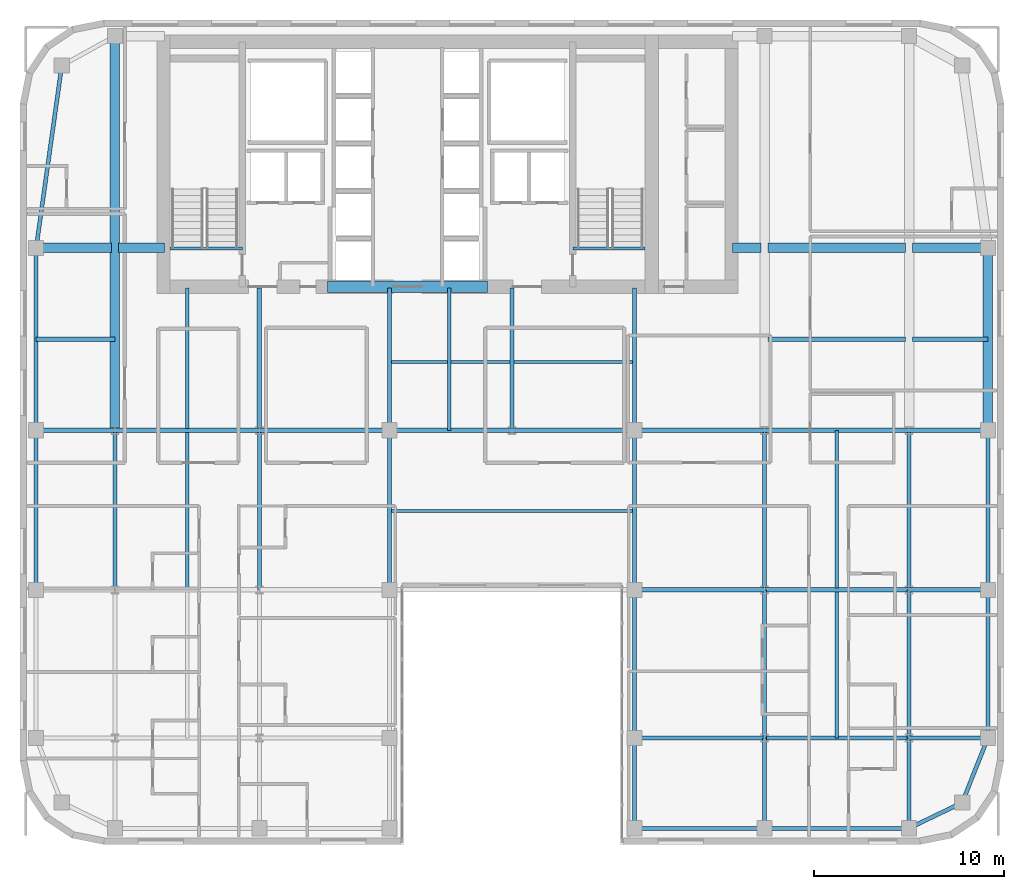
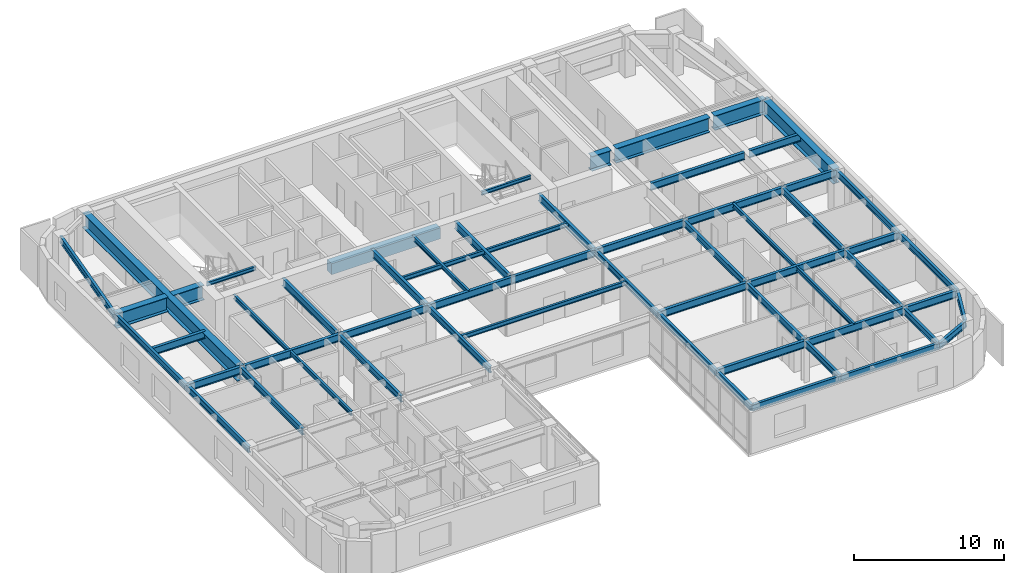
# One storey, part 5 of 14: 59 beams.
"""IFC4 building model written with IfcOpenShell, lengths in metres."""

from ifc_helpers import new_model, si_unit, direction, frame, origin, origin_2d, place, context, subcontext, project, spatial, rectangle, i_section, extrude, source, transform, mapped, material, material_profile, profile_set, type_object, type_shapes, element, save


model = new_model("IFC4")

# Units and contexts
model_context = context("Model", 3, precision=1e-05, world=origin(), true_north=direction((0.0, 1.0)))
body_context = subcontext(model_context, "Body", "Model", "MODEL_VIEW")
ifc_project = project(units=[si_unit("LENGTHUNIT", "METRE"), si_unit("AREAUNIT", "SQUARE_METRE"), si_unit("VOLUMEUNIT", "CUBIC_METRE"), si_unit("PLANEANGLEUNIT", "RADIAN"), si_unit("MASSUNIT", "GRAM", prefix="KILO")], contexts=[model_context])

# Site, building, storey
site_placement = place(None, origin())
site = spatial("IfcSite", under=ifc_project, at=site_placement, CompositionType="ELEMENT")
building_placement = place(site_placement, origin())
building = spatial("IfcBuilding", under=site, at=building_placement, Name="Tolvann Quenvar Hotel", CompositionType="ELEMENT")
storey_placement = place(building_placement, frame((0.0, 0.0, 187.550048828125)))
storey = spatial("IfcBuildingStorey", under=building, at=storey_placement, Name="L49", CompositionType="ELEMENT", Elevation=187.550048828125)

# Beams
ifc_material_1 = material(Name="Concrete N50 (50 MPa)", Category="concrete")
ifc_material_profile_1 = material_profile(ifc_material_1, rectangle(XDim=0.60009765625, YDim=0.89990234375, at=origin_2d()), Name="RC600x900")
ifc_profile_set_1 = profile_set([ifc_material_profile_1], Name="Concrete N50 (50 MPa)")
beam_type_1 = type_object("IfcBeamType", Name="BM_LINT_RC600x900", PredefinedType="LINTEL", material=ifc_profile_set_1)
shared_shape_1 = source(origin(), body_context, "Body", "SweptSolid", [
    extrude(rectangle(XDim=0.60009765625, YDim=0.89990234375, at=origin_2d()), origin(), (0.0, 0.0, 1.0), 8.39990234375),
])
type_shapes(beam_type_1, [shared_shape_1])
beam_1_placement = place(storey_placement, frame((18.800048828125, 31.949951171875, 2.919921875), z_axis=(1.0, 0.0, 0.0), x_axis=(0.0, 1.0, 0.0)))
element("IfcBeam", 1, at=beam_1_placement, inside=storey, type_object=beam_type_1, Name="Core Coupling Lintel Beam (L49)", PredefinedType="LINTEL", context=body_context, shape_type="MappedRepresentation", body=[
    mapped(shared_shape_1, transform((0.0, 0.0, 0.0), x_axis=(1.0, 0.0, 0.0), y_axis=(0.0, 1.0, 0.0), z_axis=(0.0, 0.0, 1.0), scale=1.0)),
])
ifc_material_2 = material(Name="Steel Grade 350", Category="steel")
ifc_material_profile_2 = material_profile(ifc_material_2, i_section(OverallWidth=0.5, OverallDepth=1.199951171875, WebThickness=0.01611328125, FlangeThickness=0.0400390625, at=origin_2d()), Name="1200WB455")
ifc_profile_set_2 = profile_set([ifc_material_profile_2], Name="Steel Grade 350")
beam_type_2 = type_object("IfcBeamType", Name="BM_TG_1200WB455", PredefinedType="USERDEFINED", material=ifc_profile_set_2)
shared_shape_2 = source(origin(), body_context, "Body", "SweptSolid", [
    extrude(i_section(OverallWidth=0.5, OverallDepth=1.199951171875, WebThickness=0.01611328125, FlangeThickness=0.0400390625, at=origin_2d()), origin(), (0.0, 0.0, 1.0), 9.60009765625),
])
beam_2_placement = place(storey_placement, frame((53.550048828125, 24.39990234375, 2.77001953125), z_axis=(0.0, 1.0, 0.0), x_axis=(-1.0, 0.0, 0.0)))
element("IfcBeam", 2, at=beam_2_placement, inside=storey, type_object=beam_type_2, Name="BM-L49-FLK-E1", ObjectType="TRANSFER GIRDER", PredefinedType="USERDEFINED", context=body_context, shape_type="MappedRepresentation", body=[
    mapped(shared_shape_2, transform((0.0, 0.0, 0.0), x_axis=(1.0, 0.0, 0.0), y_axis=(0.0, 1.0, 0.0), z_axis=(0.0, 0.0, 1.0), scale=1.0)),
])
ifc_material_profile_3 = material_profile(ifc_material_2, i_section(OverallWidth=0.208984375, OverallDepth=0.528076171875, WebThickness=0.009521484375, FlangeThickness=0.01318359375, FilletRadius=0.013916015625, at=origin_2d()), Name="530UB82")
ifc_profile_set_3 = profile_set([ifc_material_profile_3], Name="Steel Grade 350")
beam_type_3 = type_object("IfcBeamType", Name="BM_SPAND_530UB82", PredefinedType="SPANDREL", material=ifc_profile_set_3)
shared_shape_3 = source(origin(), body_context, "Body", "SweptSolid", [
    extrude(i_section(OverallWidth=0.208984375, OverallDepth=0.528076171875, WebThickness=0.009521484375, FlangeThickness=0.01318359375, FilletRadius=0.013916015625, at=origin_2d()), origin(), (0.0, 0.0, 1.0), 7.599853515625),
])
beam_3_placement = place(storey_placement, frame((41.800048828125, 3.449951171875, 3.10595703125), z_axis=(1.0, 0.0, 0.0), x_axis=(0.0, 1.0, 0.0)))
element("IfcBeam", 3, at=beam_3_placement, inside=storey, type_object=beam_type_3, Name="BM-L49-EW-2-H2-I2", PredefinedType="SPANDREL", context=body_context, shape_type="MappedRepresentation", body=[
    mapped(shared_shape_3, transform((0.0, 0.0, 0.0), x_axis=(1.0, 0.0, 0.0), y_axis=(0.0, 1.0, 0.0), z_axis=(0.0, 0.0, 1.0), scale=1.0)),
])
shared_shape_4 = source(origin(), body_context, "Body", "SweptSolid", [
    extrude(i_section(OverallWidth=0.208984375, OverallDepth=0.528076171875, WebThickness=0.009521484375, FlangeThickness=0.01318359375, FilletRadius=0.013916015625, at=origin_2d()), origin(), (0.0, 0.0, 1.0), 6.85009765625),
])
beam_4_placement = place(storey_placement, frame((34.949951171875, 3.449951171875, 3.10595703125), z_axis=(1.0, 0.0, 0.0), x_axis=(0.0, 1.0, 0.0)))
element("IfcBeam", 4, at=beam_4_placement, inside=storey, type_object=beam_type_3, Name="BM-L49-EW-2-F2-H2", PredefinedType="SPANDREL", context=body_context, shape_type="MappedRepresentation", body=[
    mapped(shared_shape_4, transform((0.0, 0.0, 0.0), x_axis=(1.0, 0.0, 0.0), y_axis=(0.0, 1.0, 0.0), z_axis=(0.0, 0.0, 1.0), scale=1.0)),
])
shared_shape_5 = source(origin(), body_context, "Body", "SweptSolid", [
    extrude(i_section(OverallWidth=0.208984375, OverallDepth=0.528076171875, WebThickness=0.009521484375, FlangeThickness=0.01318359375, FilletRadius=0.013916015625, at=origin_2d()), origin(), (0.0, 0.0, 1.0), 7.800048828125),
])
beam_5_placement = place(storey_placement, frame((53.550048828125, 8.199951171875, 3.10595703125), z_axis=(0.0, 1.0, 0.0), x_axis=(-1.0, 0.0, 0.0)))
element("IfcBeam", 5, at=beam_5_placement, inside=storey, type_object=beam_type_3, Name="BM-L49-NS-J3-J4", PredefinedType="SPANDREL", context=body_context, shape_type="MappedRepresentation", body=[
    mapped(shared_shape_5, transform((0.0, 0.0, 0.0), x_axis=(1.0, 0.0, 0.0), y_axis=(0.0, 1.0, 0.0), z_axis=(0.0, 0.0, 1.0), scale=1.0)),
])
shared_shape_6 = source(origin(), body_context, "Body", "SweptSolid", [
    extrude(i_section(OverallWidth=0.208984375, OverallDepth=0.528076171875, WebThickness=0.009521484375, FlangeThickness=0.01318359375, FilletRadius=0.013916015625, at=origin_2d()), origin(), (0.0, 0.0, 1.0), 8.39990234375),
])
for number, where, z_axis, x_axis, name in (
    (6, (3.449951171875, 16.0, 3.10595703125), (0.0, 1.0, 0.0), (-1.0, 0.0, 0.0), "BM-L49-NS-B4-B5"),
    (7, (53.550048828125, 16.0, 3.10595703125), (0.0, 1.0, 0.0), (-1.0, 0.0, 0.0), "BM-L49-NS-J4-J5"),
):
    element("IfcBeam", number, at=place(storey_placement, frame(where, z_axis=z_axis, x_axis=x_axis)), inside=storey, type_object=beam_type_3, Name=name, PredefinedType="SPANDREL", context=body_context, shape_type="MappedRepresentation", body=[
        mapped(shared_shape_6, transform((0.0, 0.0, 0.0), x_axis=(1.0, 0.0, 0.0), y_axis=(0.0, 1.0, 0.0), z_axis=(0.0, 0.0, 1.0), scale=1.0)),
    ])
ifc_material_profile_4 = material_profile(ifc_material_2, i_section(OverallWidth=0.208984375, OverallDepth=0.532958984375, WebThickness=0.01025390625, FlangeThickness=0.015625, FilletRadius=0.013916015625, at=origin_2d()), Name="530UB92")
ifc_profile_set_4 = profile_set([ifc_material_profile_4], Name="Steel Grade 350")
beam_type_4 = type_object("IfcBeamType", Name="BM_GIRD_530UB92", PredefinedType="BEAM", material=ifc_profile_set_4)
shared_shape_7 = source(origin(), body_context, "Body", "SweptSolid", [
    extrude(i_section(OverallWidth=0.208984375, OverallDepth=0.532958984375, WebThickness=0.01025390625, FlangeThickness=0.015625, FilletRadius=0.013916015625, at=origin_2d()), origin(), (0.0, 0.0, 1.0), 7.800048828125),
])
for number, where, z_axis, x_axis, name in (
    (8, (34.949951171875, 8.199951171875, 3.103515625), (0.0, 1.0, 0.0), (-1.0, 0.0, 0.0), "BM-L49-NS-F3-F4"),
    (9, (41.800048828125, 8.199951171875, 3.103515625), (0.0, 1.0, 0.0), (-1.0, 0.0, 0.0), "BM-L49-NS-H3-H4"),
    (10, (49.39990234375, 8.199951171875, 3.103515625), (0.0, 1.0, 0.0), (-1.0, 0.0, 0.0), "BM-L49-NS-I3-I4"),
):
    element("IfcBeam", number, at=place(storey_placement, frame(where, z_axis=z_axis, x_axis=x_axis)), inside=storey, type_object=beam_type_4, Name=name, PredefinedType="BEAM", context=body_context, shape_type="MappedRepresentation", body=[
        mapped(shared_shape_7, transform((0.0, 0.0, 0.0), x_axis=(1.0, 0.0, 0.0), y_axis=(0.0, 1.0, 0.0), z_axis=(0.0, 0.0, 1.0), scale=1.0)),
    ])
shared_shape_8 = source(origin(), body_context, "Body", "SweptSolid", [
    extrude(i_section(OverallWidth=0.208984375, OverallDepth=0.532958984375, WebThickness=0.01025390625, FlangeThickness=0.015625, FilletRadius=0.013916015625, at=origin_2d()), origin(), (0.0, 0.0, 1.0), 8.39990234375),
])
for number, where, z_axis, x_axis, name in (
    (11, (7.60009765625, 16.0, 3.103515625), (0.0, 1.0, 0.0), (-1.0, 0.0, 0.0), "BM-L49-NS-C4-C5"),
    (12, (15.199951171875, 16.0, 3.103515625), (0.0, 1.0, 0.0), (-1.0, 0.0, 0.0), "BM-L49-NS-D4-D5"),
    (13, (22.050048828125, 16.0, 3.103515625), (0.0, 1.0, 0.0), (-1.0, 0.0, 0.0), "BM-L49-NS-E4-E5"),
    (14, (34.949951171875, 16.0, 3.103515625), (0.0, 1.0, 0.0), (-1.0, 0.0, 0.0), "BM-L49-NS-F4-F5"),
    (15, (41.800048828125, 16.0, 3.103515625), (0.0, 1.0, 0.0), (-1.0, 0.0, 0.0), "BM-L49-NS-H4-H5"),
    (16, (49.39990234375, 16.0, 3.103515625), (0.0, 1.0, 0.0), (-1.0, 0.0, 0.0), "BM-L49-NS-I4-I5"),
):
    element("IfcBeam", number, at=place(storey_placement, frame(where, z_axis=z_axis, x_axis=x_axis)), inside=storey, type_object=beam_type_4, Name=name, PredefinedType="BEAM", context=body_context, shape_type="MappedRepresentation", body=[
        mapped(shared_shape_8, transform((0.0, 0.0, 0.0), x_axis=(1.0, 0.0, 0.0), y_axis=(0.0, 1.0, 0.0), z_axis=(0.0, 0.0, 1.0), scale=1.0)),
    ])
shared_shape_9 = source(origin(), body_context, "Body", "SweptSolid", [
    extrude(i_section(OverallWidth=0.208984375, OverallDepth=0.528076171875, WebThickness=0.009521484375, FlangeThickness=0.01318359375, FilletRadius=0.013916015625, at=origin_2d()), origin(), (0.0, 0.0, 1.0), 9.60009765625),
])
beam_6_placement = place(storey_placement, frame((3.449951171875, 24.39990234375, 3.10595703125), z_axis=(0.0, 1.0, 0.0), x_axis=(-1.0, 0.0, 0.0)))
element("IfcBeam", 17, at=beam_6_placement, inside=storey, type_object=beam_type_3, Name="BM-L49-FLK-W1", PredefinedType="SPANDREL", context=body_context, shape_type="MappedRepresentation", body=[
    mapped(shared_shape_9, transform((0.0, 0.0, 0.0), x_axis=(1.0, 0.0, 0.0), y_axis=(0.0, 1.0, 0.0), z_axis=(0.0, 0.0, 1.0), scale=1.0)),
])
shared_shape_10 = source(origin(), body_context, "Body", "SweptSolid", [
    extrude(i_section(OverallWidth=0.5, OverallDepth=1.199951171875, WebThickness=0.01611328125, FlangeThickness=0.0400390625, at=origin_2d()), origin(), (0.0, 0.0, 1.0), 20.75),
])
beam_7_placement = place(storey_placement, frame((7.60009765625, 24.39990234375, 2.77001953125), z_axis=(0.0, 1.0, 0.0), x_axis=(-1.0, 0.0, 0.0)))
element("IfcBeam", 18, at=beam_7_placement, inside=storey, type_object=beam_type_2, Name="BM-L49-FLK-WC", ObjectType="TRANSFER GIRDER", PredefinedType="USERDEFINED", context=body_context, shape_type="MappedRepresentation", body=[
    mapped(shared_shape_10, transform((0.0, 0.0, 0.0), x_axis=(1.0, 0.0, 0.0), y_axis=(0.0, 1.0, 0.0), z_axis=(0.0, 0.0, 1.0), scale=1.0)),
])
shared_shape_11 = source(origin(), body_context, "Body", "SweptSolid", [
    extrude(i_section(OverallWidth=0.5, OverallDepth=1.199951171875, WebThickness=0.01611328125, FlangeThickness=0.0400390625, at=origin_2d()), origin(), (0.0, 0.0, 1.0), 2.419921875),
])
beam_8_placement = place(storey_placement, frame((7.780029296875, 34.0, 2.77001953125), z_axis=(1.0, 0.0, 0.0), x_axis=(0.0, 1.0, 0.0)))
element("IfcBeam", 19, at=beam_8_placement, inside=storey, type_object=beam_type_2, Name="BM-L49-CTW-MID2", ObjectType="TRANSFER GIRDER", PredefinedType="USERDEFINED", context=body_context, shape_type="MappedRepresentation", body=[
    mapped(shared_shape_11, transform((0.0, 0.0, 0.0), x_axis=(1.0, 0.0, 0.0), y_axis=(0.0, 1.0, 0.0), z_axis=(0.0, 0.0, 1.0), scale=1.0)),
])
shared_shape_12 = source(origin(), body_context, "Body", "SweptSolid", [
    extrude(i_section(OverallWidth=0.5, OverallDepth=1.199951171875, WebThickness=0.01611328125, FlangeThickness=0.0400390625, at=origin_2d()), origin(), (0.0, 0.0, 1.0), 1.52001953125),
])
beam_9_placement = place(storey_placement, frame((40.10009765625, 34.0, 2.77001953125), z_axis=(1.0, 0.0, 0.0), x_axis=(0.0, 1.0, 0.0)))
element("IfcBeam", 20, at=beam_9_placement, inside=storey, type_object=beam_type_2, Name="BM-L49-CTE-JD6A", ObjectType="TRANSFER GIRDER", PredefinedType="USERDEFINED", context=body_context, shape_type="MappedRepresentation", body=[
    mapped(shared_shape_12, transform((0.0, 0.0, 0.0), x_axis=(1.0, 0.0, 0.0), y_axis=(0.0, 1.0, 0.0), z_axis=(0.0, 0.0, 1.0), scale=1.0)),
])
shared_shape_13 = source(origin(), body_context, "Body", "SweptSolid", [
    extrude(i_section(OverallWidth=0.5, OverallDepth=1.199951171875, WebThickness=0.01611328125, FlangeThickness=0.0400390625, at=origin_2d()), origin(), (0.0, 0.0, 1.0), 7.239990234375),
])
beam_10_placement = place(storey_placement, frame((41.97998046875, 34.0, 2.77001953125), z_axis=(1.0, 0.0, 0.0), x_axis=(0.0, 1.0, 0.0)))
element("IfcBeam", 21, at=beam_10_placement, inside=storey, type_object=beam_type_2, Name="BM-L49-CTE-JD6B", ObjectType="TRANSFER GIRDER", PredefinedType="USERDEFINED", context=body_context, shape_type="MappedRepresentation", body=[
    mapped(shared_shape_13, transform((0.0, 0.0, 0.0), x_axis=(1.0, 0.0, 0.0), y_axis=(0.0, 1.0, 0.0), z_axis=(0.0, 0.0, 1.0), scale=1.0)),
])
ifc_material_profile_5 = material_profile(ifc_material_2, i_section(OverallWidth=0.166015625, OverallDepth=0.306884765625, WebThickness=0.006591796875, FlangeThickness=0.01171875, FilletRadius=0.011474609375, at=origin_2d()), Name="310UB46")
ifc_profile_set_5 = profile_set([ifc_material_profile_5], Name="Steel Grade 350")
beam_type_5 = type_object("IfcBeamType", Name="BM_JOIST_310UB46", PredefinedType="JOIST", material=ifc_profile_set_5)
shared_shape_14 = source(origin(), body_context, "Body", "SweptSolid", [
    extrude(i_section(OverallWidth=0.166015625, OverallDepth=0.306884765625, WebThickness=0.006591796875, FlangeThickness=0.01171875, FilletRadius=0.011474609375, at=origin_2d()), origin(), (0.0, 0.0, 1.0), 3.800048828125),
])
type_shapes(beam_type_5, [shared_shape_14])
for number, where, z_axis, x_axis, name in (
    (22, (10.5, 33.97998046875, 3.216552734375), (1.0, 0.0, 0.0), (0.0, 1.0, 0.0), "BM-HDR-STC1-L50"),
    (23, (31.699951171875, 33.97998046875, 3.216552734375), (1.0, 0.0, 0.0), (0.0, 1.0, 0.0), "BM-HDR-STC2-L50"),
):
    element("IfcBeam", number, at=place(storey_placement, frame(where, z_axis=z_axis, x_axis=x_axis)), inside=storey, type_object=beam_type_5, Name=name, PredefinedType="JOIST", context=body_context, shape_type="MappedRepresentation", body=[
        mapped(shared_shape_14, transform((0.0, 0.0, 0.0), x_axis=(1.0, 0.0, 0.0), y_axis=(0.0, 1.0, 0.0), z_axis=(0.0, 0.0, 1.0), scale=1.0)),
    ])
shared_shape_15 = source(origin(), body_context, "Body", "SweptSolid", [
    extrude(i_section(OverallWidth=0.208984375, OverallDepth=0.528076171875, WebThickness=0.009521484375, FlangeThickness=0.01318359375, FilletRadius=0.013916015625, at=origin_2d()), origin(), (0.0, 0.0, 1.0), 9.694580078125),
])
beam_11_placement = place(storey_placement, frame((3.449951171875, 34.0, 3.10595703125), z_axis=(0.139263320262, 0.990255385055, 0.0), x_axis=(-0.990255385055, 0.139263320262, 0.0)))
element("IfcBeam", 24, at=beam_11_placement, inside=storey, type_object=beam_type_3, Name="BM-L49-FLK-W2", PredefinedType="SPANDREL", context=body_context, shape_type="MappedRepresentation", body=[
    mapped(shared_shape_15, transform((0.0, 0.0, 0.0), x_axis=(1.0, 0.0, 0.0), y_axis=(0.0, 1.0, 0.0), z_axis=(0.0, 0.0, 1.0), scale=1.0)),
])
shared_shape_16 = source(origin(), body_context, "Body", "SweptSolid", [
    extrude(i_section(OverallWidth=0.5, OverallDepth=1.199951171875, WebThickness=0.01611328125, FlangeThickness=0.0400390625, at=origin_2d()), origin(), (0.0, 0.0, 1.0), 3.969970703125),
])
type_shapes(beam_type_2, [shared_shape_2, shared_shape_10, shared_shape_11, shared_shape_12, shared_shape_13, shared_shape_16])
for number, where, z_axis, x_axis, name in (
    (25, (3.449951171875, 34.0, 2.77001953125), (1.0, 0.0, 0.0), (0.0, 1.0, 0.0), "BM-L49-CTW-MID1"),
    (26, (49.580078125, 34.0, 2.77001953125), (1.0, 0.0, 0.0), (0.0, 1.0, 0.0), "BM-L49-CTE-JD6C"),
):
    element("IfcBeam", number, at=place(storey_placement, frame(where, z_axis=z_axis, x_axis=x_axis)), inside=storey, type_object=beam_type_2, Name=name, ObjectType="TRANSFER GIRDER", PredefinedType="USERDEFINED", context=body_context, shape_type="MappedRepresentation", body=[
        mapped(shared_shape_16, transform((0.0, 0.0, 0.0), x_axis=(1.0, 0.0, 0.0), y_axis=(0.0, 1.0, 0.0), z_axis=(0.0, 0.0, 1.0), scale=1.0)),
    ])
ifc_material_profile_6 = material_profile(ifc_material_2, i_section(OverallWidth=0.172119140625, OverallDepth=0.35888671875, WebThickness=0.008056640625, FlangeThickness=0.012939453125, FilletRadius=0.011474609375, at=origin_2d()), Name="360UB57")
ifc_profile_set_6 = profile_set([ifc_material_profile_6], Name="Steel Grade 350")
beam_type_6 = type_object("IfcBeamType", Name="BM_JOIST_360UB57", PredefinedType="JOIST", material=ifc_profile_set_6)
shared_shape_17 = source(origin(), body_context, "Body", "SweptSolid", [
    extrude(i_section(OverallWidth=0.172119140625, OverallDepth=0.35888671875, WebThickness=0.008056640625, FlangeThickness=0.012939453125, FilletRadius=0.011474609375, at=origin_2d()), origin(), (0.0, 0.0, 1.0), 12.89990234375),
])
for number, where, z_axis, x_axis, name in (
    (27, (22.050048828125, 20.14990234375, 3.1904296875), (1.0, 0.0, 0.0), (0.0, 1.0, 0.0), "BM-L49-SPINE-20"),
    (28, (22.050048828125, 28.0, 3.1904296875), (1.0, 0.0, 0.0), (0.0, 1.0, 0.0), "BM-L49-SPINE-28"),
):
    element("IfcBeam", number, at=place(storey_placement, frame(where, z_axis=z_axis, x_axis=x_axis)), inside=storey, type_object=beam_type_6, Name=name, PredefinedType="JOIST", context=body_context, shape_type="MappedRepresentation", body=[
        mapped(shared_shape_17, transform((0.0, 0.0, 0.0), x_axis=(1.0, 0.0, 0.0), y_axis=(0.0, 1.0, 0.0), z_axis=(0.0, 0.0, 1.0), scale=1.0)),
    ])
shared_shape_18 = source(origin(), body_context, "Body", "SweptSolid", [
    extrude(i_section(OverallWidth=0.172119140625, OverallDepth=0.35888671875, WebThickness=0.008056640625, FlangeThickness=0.012939453125, FilletRadius=0.011474609375, at=origin_2d()), origin(), (0.0, 0.0, 1.0), 7.5),
])
beam_12_placement = place(storey_placement, frame((25.199951171875, 24.39990234375, 3.1904296875), z_axis=(0.0, 1.0, 0.0), x_axis=(-1.0, 0.0, 0.0)))
element("IfcBeam", 29, at=beam_12_placement, inside=storey, type_object=beam_type_6, Name="BJ-L49-252-244", PredefinedType="JOIST", context=body_context, shape_type="MappedRepresentation", body=[
    mapped(shared_shape_18, transform((0.0, 0.0, 0.0), x_axis=(1.0, 0.0, 0.0), y_axis=(0.0, 1.0, 0.0), z_axis=(0.0, 0.0, 1.0), scale=1.0)),
])
shared_shape_19 = source(origin(), body_context, "Body", "SweptSolid", [
    extrude(i_section(OverallWidth=0.208984375, OverallDepth=0.528076171875, WebThickness=0.009521484375, FlangeThickness=0.01318359375, FilletRadius=0.013916015625, at=origin_2d()), origin(), (0.0, 0.0, 1.0), 3.108642578125),
])
beam_13_placement = place(storey_placement, frame((49.39990234375, 3.449951171875, 3.10595703125), z_axis=(0.900759354066, 0.434318530646, 0.0), x_axis=(-0.434318530646, 0.900759354066, 0.0)))
element("IfcBeam", 30, at=beam_13_placement, inside=storey, type_object=beam_type_3, Name="BM-L49-EW-2-I2-J2", PredefinedType="SPANDREL", context=body_context, shape_type="MappedRepresentation", body=[
    mapped(shared_shape_19, transform((0.0, 0.0, 0.0), x_axis=(1.0, 0.0, 0.0), y_axis=(0.0, 1.0, 0.0), z_axis=(0.0, 0.0, 1.0), scale=1.0)),
])
ifc_material_profile_7 = material_profile(ifc_material_2, i_section(OverallWidth=0.22802734375, OverallDepth=0.60205078125, WebThickness=0.010498046875, FlangeThickness=0.014892578125, FilletRadius=0.013916015625, at=origin_2d()), Name="610UB101")
ifc_profile_set_7 = profile_set([ifc_material_profile_7], Name="Steel Grade 350")
beam_type_7 = type_object("IfcBeamType", Name="BM_GIRD_610UB101", PredefinedType="BEAM", material=ifc_profile_set_7)
shared_shape_20 = source(origin(), body_context, "Body", "SweptSolid", [
    extrude(i_section(OverallWidth=0.22802734375, OverallDepth=0.60205078125, WebThickness=0.010498046875, FlangeThickness=0.014892578125, FilletRadius=0.013916015625, at=origin_2d()), origin(), (0.0, 0.0, 1.0), 4.150146484375),
])
for number, where, z_axis, x_axis, name in (
    (31, (49.39990234375, 8.199951171875, 3.06884765625), (1.0, 0.0, 0.0), (0.0, 1.0, 0.0), "BM-L49-EW-3-I3-J3"),
    (32, (49.39990234375, 16.0, 3.06884765625), (1.0, 0.0, 0.0), (0.0, 1.0, 0.0), "BM-L49-EW-4-I4-J4"),
    (33, (3.449951171875, 24.39990234375, 3.06884765625), (1.0, 0.0, 0.0), (0.0, 1.0, 0.0), "BM-L49-EW-5-B5-C5"),
    (34, (49.39990234375, 24.39990234375, 3.06884765625), (1.0, 0.0, 0.0), (0.0, 1.0, 0.0), "BM-L49-EW-5-I5-J5"),
    (35, (3.449951171875, 29.199951171875, 3.06884765625), (1.0, 0.0, 0.0), (0.0, 1.0, 0.0), "BM-L49-EW-BC29"),
):
    element("IfcBeam", number, at=place(storey_placement, frame(where, z_axis=z_axis, x_axis=x_axis)), inside=storey, type_object=beam_type_7, Name=name, PredefinedType="BEAM", context=body_context, shape_type="MappedRepresentation", body=[
        mapped(shared_shape_20, transform((0.0, 0.0, 0.0), x_axis=(1.0, 0.0, 0.0), y_axis=(0.0, 1.0, 0.0), z_axis=(0.0, 0.0, 1.0), scale=1.0)),
    ])
shared_shape_21 = source(origin(), body_context, "Body", "SweptSolid", [
    extrude(i_section(OverallWidth=0.22802734375, OverallDepth=0.60205078125, WebThickness=0.010498046875, FlangeThickness=0.014892578125, FilletRadius=0.013916015625, at=origin_2d()), origin(), (0.0, 0.0, 1.0), 7.599853515625),
])
for number, where, z_axis, x_axis, name in (
    (36, (41.800048828125, 8.199951171875, 3.06884765625), (1.0, 0.0, 0.0), (0.0, 1.0, 0.0), "BM-L49-EW-3-H3-I3"),
    (37, (41.800048828125, 16.0, 3.06884765625), (1.0, 0.0, 0.0), (0.0, 1.0, 0.0), "BM-L49-EW-4-H4-I4"),
    (38, (7.60009765625, 24.39990234375, 3.06884765625), (1.0, 0.0, 0.0), (0.0, 1.0, 0.0), "BM-L49-EW-5-C5-D5"),
    (39, (41.800048828125, 24.39990234375, 3.06884765625), (1.0, 0.0, 0.0), (0.0, 1.0, 0.0), "BM-L49-EW-5-H5-I5"),
):
    element("IfcBeam", number, at=place(storey_placement, frame(where, z_axis=z_axis, x_axis=x_axis)), inside=storey, type_object=beam_type_7, Name=name, PredefinedType="BEAM", context=body_context, shape_type="MappedRepresentation", body=[
        mapped(shared_shape_21, transform((0.0, 0.0, 0.0), x_axis=(1.0, 0.0, 0.0), y_axis=(0.0, 1.0, 0.0), z_axis=(0.0, 0.0, 1.0), scale=1.0)),
    ])
shared_shape_22 = source(origin(), body_context, "Body", "SweptSolid", [
    extrude(i_section(OverallWidth=0.22802734375, OverallDepth=0.60205078125, WebThickness=0.010498046875, FlangeThickness=0.014892578125, FilletRadius=0.013916015625, at=origin_2d()), origin(), (0.0, 0.0, 1.0), 6.85009765625),
])
for number, where, z_axis, x_axis, name in (
    (40, (34.949951171875, 8.199951171875, 3.06884765625), (1.0, 0.0, 0.0), (0.0, 1.0, 0.0), "BM-L49-EW-3-F3-H3"),
    (41, (34.949951171875, 16.0, 3.06884765625), (1.0, 0.0, 0.0), (0.0, 1.0, 0.0), "BM-L49-EW-4-F4-H4"),
    (42, (15.199951171875, 24.39990234375, 3.06884765625), (1.0, 0.0, 0.0), (0.0, 1.0, 0.0), "BM-L49-EW-5-D5-E5"),
    (43, (34.949951171875, 24.39990234375, 3.06884765625), (1.0, 0.0, 0.0), (0.0, 1.0, 0.0), "BM-L49-EW-5-F5-H5"),
):
    element("IfcBeam", number, at=place(storey_placement, frame(where, z_axis=z_axis, x_axis=x_axis)), inside=storey, type_object=beam_type_7, Name=name, PredefinedType="BEAM", context=body_context, shape_type="MappedRepresentation", body=[
        mapped(shared_shape_22, transform((0.0, 0.0, 0.0), x_axis=(1.0, 0.0, 0.0), y_axis=(0.0, 1.0, 0.0), z_axis=(0.0, 0.0, 1.0), scale=1.0)),
    ])
shared_shape_23 = source(origin(), body_context, "Body", "SweptSolid", [
    extrude(i_section(OverallWidth=0.22802734375, OverallDepth=0.60205078125, WebThickness=0.010498046875, FlangeThickness=0.014892578125, FilletRadius=0.013916015625, at=origin_2d()), origin(), (0.0, 0.0, 1.0), 6.449951171875),
])
for number, where, z_axis, x_axis, name in (
    (44, (22.050048828125, 24.39990234375, 3.06884765625), (1.0, 0.0, 0.0), (0.0, 1.0, 0.0), "BM-L49-EW-5-E5-M5"),
    (45, (28.5, 24.39990234375, 3.06884765625), (1.0, 0.0, 0.0), (0.0, 1.0, 0.0), "BM-L49-EW-5-M5-F5"),
):
    element("IfcBeam", number, at=place(storey_placement, frame(where, z_axis=z_axis, x_axis=x_axis)), inside=storey, type_object=beam_type_7, Name=name, PredefinedType="BEAM", context=body_context, shape_type="MappedRepresentation", body=[
        mapped(shared_shape_23, transform((0.0, 0.0, 0.0), x_axis=(1.0, 0.0, 0.0), y_axis=(0.0, 1.0, 0.0), z_axis=(0.0, 0.0, 1.0), scale=1.0)),
    ])
shared_shape_24 = source(origin(), body_context, "Body", "SweptSolid", [
    extrude(i_section(OverallWidth=0.208984375, OverallDepth=0.528076171875, WebThickness=0.009521484375, FlangeThickness=0.01318359375, FilletRadius=0.013916015625, at=origin_2d()), origin(), (0.0, 0.0, 1.0), 3.658203125),
])
type_shapes(beam_type_3, [shared_shape_3, shared_shape_4, shared_shape_5, shared_shape_6, shared_shape_9, shared_shape_15, shared_shape_19, shared_shape_24])
beam_14_placement = place(storey_placement, frame((52.199951171875, 4.800048828125, 3.10595703125), z_axis=(0.369065163807, 0.929403521009, 0.0), x_axis=(-0.929403521009, 0.369065163807, 0.0)))
element("IfcBeam", 46, at=beam_14_placement, inside=storey, type_object=beam_type_3, Name="BM-L49-NS-J2-J3", PredefinedType="SPANDREL", context=body_context, shape_type="MappedRepresentation", body=[
    mapped(shared_shape_24, transform((0.0, 0.0, 0.0), x_axis=(1.0, 0.0, 0.0), y_axis=(0.0, 1.0, 0.0), z_axis=(0.0, 0.0, 1.0), scale=1.0)),
])
shared_shape_25 = source(origin(), body_context, "Body", "SweptSolid", [
    extrude(i_section(OverallWidth=0.208984375, OverallDepth=0.532958984375, WebThickness=0.01025390625, FlangeThickness=0.015625, FilletRadius=0.013916015625, at=origin_2d()), origin(), (0.0, 0.0, 1.0), 4.75),
])
type_shapes(beam_type_4, [shared_shape_7, shared_shape_8, shared_shape_25])
for number, where, z_axis, x_axis, name in (
    (47, (34.949951171875, 3.449951171875, 3.103515625), (0.0, 1.0, 0.0), (-1.0, 0.0, 0.0), "BM-L49-NS-F2-F3"),
    (48, (41.800048828125, 3.449951171875, 3.103515625), (0.0, 1.0, 0.0), (-1.0, 0.0, 0.0), "BM-L49-NS-H2-H3"),
    (49, (49.39990234375, 3.449951171875, 3.103515625), (0.0, 1.0, 0.0), (-1.0, 0.0, 0.0), "BM-L49-NS-I2-I3"),
):
    element("IfcBeam", number, at=place(storey_placement, frame(where, z_axis=z_axis, x_axis=x_axis)), inside=storey, type_object=beam_type_4, Name=name, PredefinedType="BEAM", context=body_context, shape_type="MappedRepresentation", body=[
        mapped(shared_shape_25, transform((0.0, 0.0, 0.0), x_axis=(1.0, 0.0, 0.0), y_axis=(0.0, 1.0, 0.0), z_axis=(0.0, 0.0, 1.0), scale=1.0)),
    ])
shared_shape_26 = source(origin(), body_context, "Body", "SweptSolid", [
    extrude(i_section(OverallWidth=0.22802734375, OverallDepth=0.60205078125, WebThickness=0.010498046875, FlangeThickness=0.014892578125, FilletRadius=0.013916015625, at=origin_2d()), origin(), (0.0, 0.0, 1.0), 7.5),
])
for number, where, z_axis, x_axis, name in (
    (50, (15.199951171875, 24.39990234375, 3.06884765625), (0.0, 1.0, 0.0), (-1.0, 0.0, 0.0), "BM-L49-CORE-D5"),
    (51, (22.050048828125, 24.39990234375, 3.06884765625), (0.0, 1.0, 0.0), (-1.0, 0.0, 0.0), "BM-L49-CORE-E5"),
    (52, (34.949951171875, 24.39990234375, 3.06884765625), (0.0, 1.0, 0.0), (-1.0, 0.0, 0.0), "BM-L49-CORE-F5"),
    (53, (28.5, 24.39990234375, 3.06884765625), (0.0, 1.0, 0.0), (-1.0, 0.0, 0.0), "BM-L49-CORE-M5"),
):
    element("IfcBeam", number, at=place(storey_placement, frame(where, z_axis=z_axis, x_axis=x_axis)), inside=storey, type_object=beam_type_7, Name=name, PredefinedType="BEAM", context=body_context, shape_type="MappedRepresentation", body=[
        mapped(shared_shape_26, transform((0.0, 0.0, 0.0), x_axis=(1.0, 0.0, 0.0), y_axis=(0.0, 1.0, 0.0), z_axis=(0.0, 0.0, 1.0), scale=1.0)),
    ])
shared_shape_27 = source(origin(), body_context, "Body", "SweptSolid", [
    extrude(i_section(OverallWidth=0.22802734375, OverallDepth=0.60205078125, WebThickness=0.010498046875, FlangeThickness=0.014892578125, FilletRadius=0.013916015625, at=origin_2d()), origin(), (0.0, 0.0, 1.0), 7.239990234375),
])
beam_15_placement = place(storey_placement, frame((41.97998046875, 29.199951171875, 3.06884765625), z_axis=(1.0, 0.0, 0.0), x_axis=(0.0, 1.0, 0.0)))
element("IfcBeam", 54, at=beam_15_placement, inside=storey, type_object=beam_type_7, Name="BM-L49-EW-HI29", PredefinedType="BEAM", context=body_context, shape_type="MappedRepresentation", body=[
    mapped(shared_shape_27, transform((0.0, 0.0, 0.0), x_axis=(1.0, 0.0, 0.0), y_axis=(0.0, 1.0, 0.0), z_axis=(0.0, 0.0, 1.0), scale=1.0)),
])
shared_shape_28 = source(origin(), body_context, "Body", "SweptSolid", [
    extrude(i_section(OverallWidth=0.22802734375, OverallDepth=0.60205078125, WebThickness=0.010498046875, FlangeThickness=0.014892578125, FilletRadius=0.013916015625, at=origin_2d()), origin(), (0.0, 0.0, 1.0), 3.969970703125),
])
type_shapes(beam_type_7, [shared_shape_20, shared_shape_21, shared_shape_22, shared_shape_23, shared_shape_26, shared_shape_27, shared_shape_28])
beam_16_placement = place(storey_placement, frame((49.580078125, 29.199951171875, 3.06884765625), z_axis=(1.0, 0.0, 0.0), x_axis=(0.0, 1.0, 0.0)))
element("IfcBeam", 55, at=beam_16_placement, inside=storey, type_object=beam_type_7, Name="BM-L49-EW-IJ29", PredefinedType="BEAM", context=body_context, shape_type="MappedRepresentation", body=[
    mapped(shared_shape_28, transform((0.0, 0.0, 0.0), x_axis=(1.0, 0.0, 0.0), y_axis=(0.0, 1.0, 0.0), z_axis=(0.0, 0.0, 1.0), scale=1.0)),
])
shared_shape_29 = source(origin(), body_context, "Body", "SweptSolid", [
    extrude(i_section(OverallWidth=0.172119140625, OverallDepth=0.35888671875, WebThickness=0.008056640625, FlangeThickness=0.012939453125, FilletRadius=0.011474609375, at=origin_2d()), origin(), (0.0, 0.0, 1.0), 7.692138671875),
])
beam_17_placement = place(storey_placement, frame((45.60009765625, 8.199951171875, 3.1904296875), z_axis=(0.0, 1.0, 0.0), x_axis=(-1.0, 0.0, 0.0)))
element("IfcBeam", 56, at=beam_17_placement, inside=storey, type_object=beam_type_6, Name="BJ-L49-456-82", PredefinedType="JOIST", context=body_context, shape_type="MappedRepresentation", body=[
    mapped(shared_shape_29, transform((0.0, 0.0, 0.0), x_axis=(1.0, 0.0, 0.0), y_axis=(0.0, 1.0, 0.0), z_axis=(0.0, 0.0, 1.0), scale=1.0)),
])
shared_shape_30 = source(origin(), body_context, "Body", "SweptSolid", [
    extrude(i_section(OverallWidth=0.172119140625, OverallDepth=0.35888671875, WebThickness=0.008056640625, FlangeThickness=0.012939453125, FilletRadius=0.011474609375, at=origin_2d()), origin(), (0.0, 0.0, 1.0), 8.18408203125),
])
beam_18_placement = place(storey_placement, frame((11.39990234375, 16.10791015625, 3.1904296875), z_axis=(0.0, 1.0, 0.0), x_axis=(-1.0, 0.0, 0.0)))
element("IfcBeam", 57, at=beam_18_placement, inside=storey, type_object=beam_type_6, Name="BJ-L49-114-160", PredefinedType="JOIST", context=body_context, shape_type="MappedRepresentation", body=[
    mapped(shared_shape_30, transform((0.0, 0.0, 0.0), x_axis=(1.0, 0.0, 0.0), y_axis=(0.0, 1.0, 0.0), z_axis=(0.0, 0.0, 1.0), scale=1.0)),
])
shared_shape_31 = source(origin(), body_context, "Body", "SweptSolid", [
    extrude(i_section(OverallWidth=0.172119140625, OverallDepth=0.35888671875, WebThickness=0.008056640625, FlangeThickness=0.012939453125, FilletRadius=0.011474609375, at=origin_2d()), origin(), (0.0, 0.0, 1.0), 7.391845703125),
])
beam_19_placement = place(storey_placement, frame((11.39990234375, 24.508056640625, 3.1904296875), z_axis=(0.0, 1.0, 0.0), x_axis=(-1.0, 0.0, 0.0)))
element("IfcBeam", 58, at=beam_19_placement, inside=storey, type_object=beam_type_6, Name="BJ-L49-114-244", PredefinedType="JOIST", context=body_context, shape_type="MappedRepresentation", body=[
    mapped(shared_shape_31, transform((0.0, 0.0, 0.0), x_axis=(1.0, 0.0, 0.0), y_axis=(0.0, 1.0, 0.0), z_axis=(0.0, 0.0, 1.0), scale=1.0)),
])
shared_shape_32 = source(origin(), body_context, "Body", "SweptSolid", [
    extrude(i_section(OverallWidth=0.172119140625, OverallDepth=0.35888671875, WebThickness=0.008056640625, FlangeThickness=0.012939453125, FilletRadius=0.011474609375, at=origin_2d()), origin(), (0.0, 0.0, 1.0), 8.2919921875),
])
type_shapes(beam_type_6, [shared_shape_17, shared_shape_18, shared_shape_29, shared_shape_30, shared_shape_31, shared_shape_32])
beam_20_placement = place(storey_placement, frame((45.60009765625, 16.10791015625, 3.1904296875), z_axis=(0.0, 1.0, 0.0), x_axis=(-1.0, 0.0, 0.0)))
element("IfcBeam", 59, at=beam_20_placement, inside=storey, type_object=beam_type_6, Name="BJ-L49-456-160", PredefinedType="JOIST", context=body_context, shape_type="MappedRepresentation", body=[
    mapped(shared_shape_32, transform((0.0, 0.0, 0.0), x_axis=(1.0, 0.0, 0.0), y_axis=(0.0, 1.0, 0.0), z_axis=(0.0, 0.0, 1.0), scale=1.0)),
])

save(model, "model.ifc")
